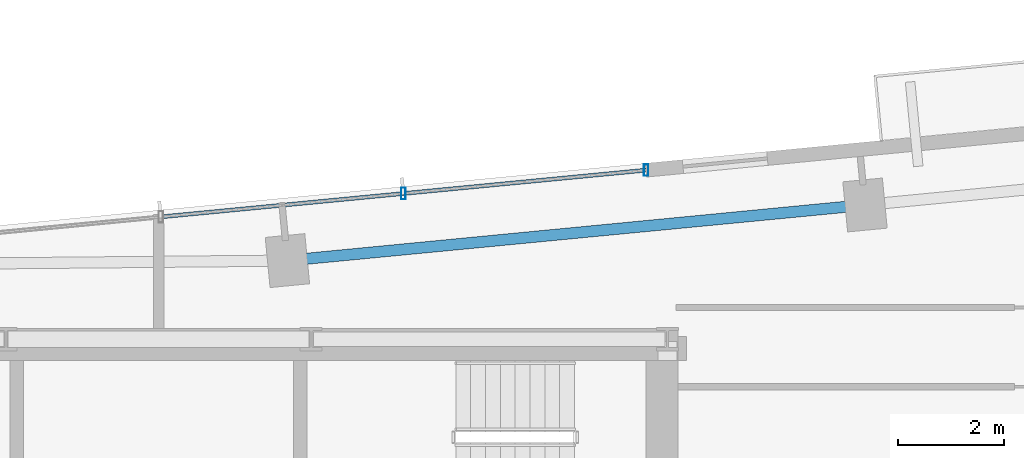
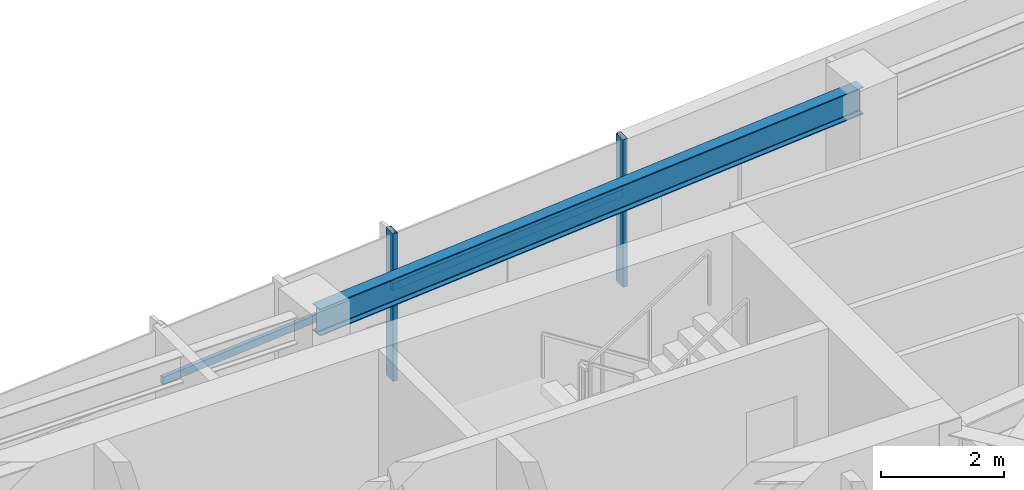
# One storey, part 7 of 18: 4 members, 1 beam, 1 element without a shape of its own.
"""IFC4 building model written with IfcOpenShell, lengths in metres."""

from ifc_helpers import new_model, si_unit, direction, frame, origin, origin_2d, place, context, subcontext, project, spatial, hollow_rectangle, i_section, extrude, source, transform, mapped, material, material_profile, profile_set, type_object, type_shapes, element, aggregate, save


model = new_model("IFC4")

# Units and contexts
model_context = context("Model", 3, precision=1e-05, world=origin(), true_north=direction((0.0, 1.0)))
body_context = subcontext(model_context, "Body", "Model", "MODEL_VIEW")
ifc_project = project(units=[si_unit("LENGTHUNIT", "METRE"), si_unit("AREAUNIT", "SQUARE_METRE"), si_unit("VOLUMEUNIT", "CUBIC_METRE"), si_unit("PLANEANGLEUNIT", "RADIAN"), si_unit("MASSUNIT", "GRAM", prefix="KILO")], contexts=[model_context])

# Site, building, storey
site_placement = place(None, origin())
site = spatial("IfcSite", under=ifc_project, at=site_placement, CompositionType="ELEMENT")
building_placement = place(site_placement, origin())
building = spatial("IfcBuilding", under=site, at=building_placement, Name="Astriad Promenade Condominiums", CompositionType="ELEMENT")
storey_placement = place(building_placement, frame((0.0, 0.0, 201.800048828125)))
storey = spatial("IfcBuildingStorey", under=building, at=storey_placement, Name="L58", CompositionType="ELEMENT", Elevation=201.800048828125)

# Beam
ifc_material_1 = material(Name="Steel ASTM A992 Grade 50", Category="steel")
ifc_material_profile_1 = material_profile(ifc_material_1, i_section(OverallWidth=0.210693359375, OverallDepth=0.53955078125, WebThickness=0.01171875, FlangeThickness=0.018798828125, FilletRadius=0.0166015625, at=origin_2d()), Name="W21X73")
ifc_profile_set_1 = profile_set([ifc_material_profile_1], Name="Steel ASTM A992 Grade 50")
beam_type = type_object("IfcBeamType", Name="STEEL SPANDREL BEAM W21X73", PredefinedType="SPANDREL", material=ifc_profile_set_1)
shared_shape_1 = source(origin(), body_context, "Body", "SweptSolid", [
    extrude(i_section(OverallWidth=0.210693359375, OverallDepth=0.53955078125, WebThickness=0.01171875, FlangeThickness=0.018798828125, FilletRadius=0.0166015625, at=origin_2d()), origin(), (0.0, 0.0, 1.0), 10.869873046875),
])
type_shapes(beam_type, [shared_shape_1])
beam_placement = place(storey_placement, frame((49.291015625, 26.52880859375, 2.670166015625), z_axis=(-0.995394779798, -0.09586048378, 0.0), x_axis=(0.09586048378, -0.995394779798, 0.0)))
element("IfcBeam", 1, at=beam_placement, inside=storey, type_object=beam_type, Name="Perimeter Spandrel Beam SP-N3-L58", PredefinedType="SPANDREL", context=body_context, shape_type="MappedRepresentation", body=[
    mapped(shared_shape_1, transform((0.0, 0.0, 0.0), scale=1.0)),
])

# Curtain wall, members
ifc_material_2 = material(Name="Anodised aluminium Black Dark Glass Unitised", Category="aluminium")
curtain_wall_type = type_object("IfcCurtainWallType", Name="CW-B34-DARK", PredefinedType="USERDEFINED", material=ifc_material_2)
curtain_wall_placement = place(storey_placement, origin())
curtain_wall = element("IfcCurtainWall", 2, at=curtain_wall_placement, inside=storey, type_object=curtain_wall_type, Name="CW-L58-N", ObjectType="UNITISED_CURTAIN_WALL", PredefinedType="USERDEFINED")
ifc_material_3 = material(Name="Anodised aluminium 6063-T6 Black", Category="aluminium")
ifc_material_profile_2 = material_profile(ifc_material_3, hollow_rectangle(XDim=0.0849609375, YDim=0.219970703125, WallThickness=0.0048828125, at=origin_2d()), Name="ALU-MUL-85X220")
ifc_profile_set_2 = profile_set([ifc_material_profile_2], Name="Anodised aluminium 6063-T6 Black")
member_type_1 = type_object("IfcMemberType", Name="MUL-ALU-MUL-85X220", PredefinedType="MULLION", material=ifc_profile_set_2)
shared_shape_2 = source(origin(), body_context, "Body", "SweptSolid", [
    extrude(hollow_rectangle(XDim=0.0849609375, YDim=0.219970703125, WallThickness=0.0048828125, at=origin_2d()), origin(), (0.0, 0.0, 1.0), 2.93994140625),
])
type_shapes(member_type_1, [shared_shape_2])
member_1_placement = place(storey_placement, frame((40.6201171875, 26.748779296875, 0.0), z_axis=(0.0, 0.0, 1.0), x_axis=(1.0, 0.0, 0.0)))
member_1 = element("IfcMember", 3, at=member_1_placement, type_object=member_type_1, Name="CW-L58-N-MUL-02", PredefinedType="MULLION", context=body_context, shape_type="MappedRepresentation", body=[
    mapped(shared_shape_2, transform((0.0, 0.0, 0.0), scale=1.0)),
])
member_2_placement = place(storey_placement, frame((45.198974609375, 27.189697265625, 0.0), z_axis=(0.0, 0.0, 1.0), x_axis=(1.0, 0.0, 0.0)))
member_2 = element("IfcMember", 4, at=member_2_placement, type_object=member_type_1, Name="CW-L58-N-MUL-03", PredefinedType="MULLION", context=body_context, shape_type="MappedRepresentation", body=[
    mapped(shared_shape_2, transform((0.0, 0.0, 0.0), scale=1.0)),
])
ifc_material_profile_3 = material_profile(ifc_material_3, hollow_rectangle(XDim=0.074951171875, YDim=0.14990234375, WallThickness=0.004150390625, at=origin_2d()), Name="ALU-TRN-75X150")
ifc_profile_set_3 = profile_set([ifc_material_profile_3], Name="Anodised aluminium 6063-T6 Black")
member_type_2 = type_object("IfcMemberType", Name="TRN-ALU-TRN-75X150", PredefinedType="USERDEFINED", material=ifc_profile_set_3)
shared_shape_3 = source(origin(), body_context, "Body", "SweptSolid", [
    extrude(hollow_rectangle(XDim=0.074951171875, YDim=0.14990234375, WallThickness=0.004150390625, at=origin_2d()), origin(), (0.0, 0.0, 1.0), 4.60009765625),
])
type_shapes(member_type_2, [shared_shape_3])
member_3_placement = place(storey_placement, frame((36.041259765625, 26.307861328125, 1.82275390625), z_axis=(0.995395697572, 0.095850953336, 0.0), x_axis=(-0.095850953336, 0.995395697572, 0.0)))
member_3 = element("IfcMember", 5, at=member_3_placement, type_object=member_type_2, Name="CW-L58-N-TRN-01-0", ObjectType="TRANSOM", PredefinedType="USERDEFINED", context=body_context, shape_type="MappedRepresentation", body=[
    mapped(shared_shape_3, transform((0.0, 0.0, 0.0), scale=1.0)),
])
member_4_placement = place(storey_placement, frame((40.6201171875, 26.748779296875, 1.82275390625), z_axis=(0.995395697572, 0.095850953336, 0.0), x_axis=(-0.095850953336, 0.995395697572, 0.0)))
member_4 = element("IfcMember", 6, at=member_4_placement, type_object=member_type_2, Name="CW-L58-N-TRN-02-0", ObjectType="TRANSOM", PredefinedType="USERDEFINED", context=body_context, shape_type="MappedRepresentation", body=[
    mapped(shared_shape_3, transform((0.0, 0.0, 0.0), scale=1.0)),
])
aggregate(curtain_wall, [member_1, member_2, member_3, member_4])

save(model, "model.ifc")
